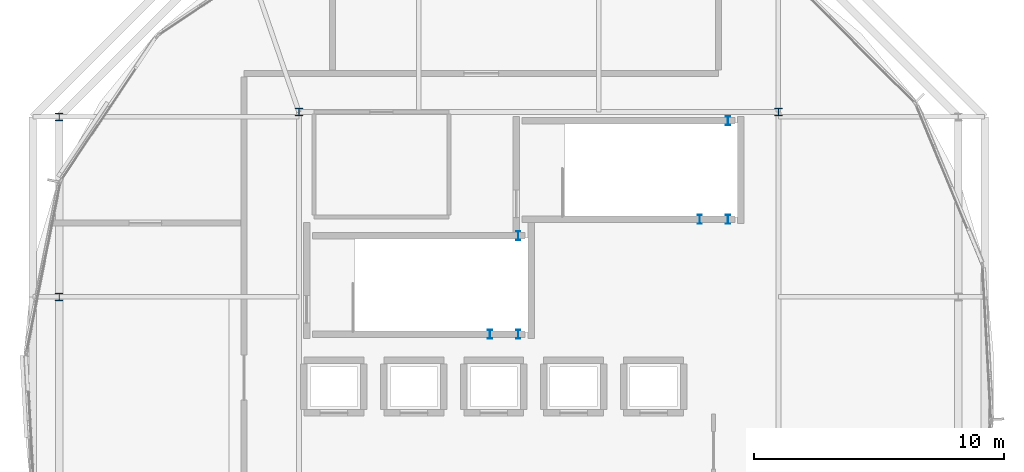
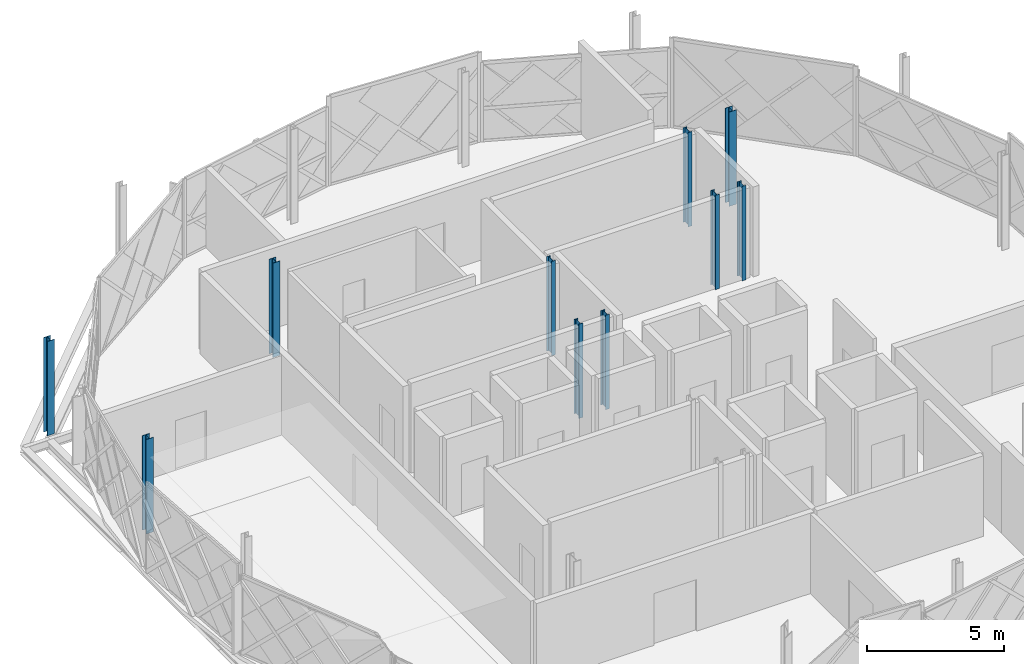
# One storey, part 3 of 15: 10 columns.
"""IFC4 building model written with IfcOpenShell, lengths in metres."""

from ifc_helpers import new_model, si_unit, direction, frame, origin, origin_2d, place, context, subcontext, project, spatial, i_section, extrude, material, material_profile, profile_set, type_object, element, save


model = new_model("IFC4")

# Units and contexts
model_context = context("Model", 3, precision=1e-05, world=origin(), true_north=direction((0.0, 1.0)))
body_context = subcontext(model_context, "Body", "Model", "MODEL_VIEW")
ifc_project = project(units=[si_unit("LENGTHUNIT", "METRE"), si_unit("AREAUNIT", "SQUARE_METRE"), si_unit("VOLUMEUNIT", "CUBIC_METRE"), si_unit("PLANEANGLEUNIT", "RADIAN"), si_unit("MASSUNIT", "GRAM", prefix="KILO")], contexts=[model_context])

# Site, building, storey
site_placement = place(None, origin())
site = spatial("IfcSite", under=ifc_project, at=site_placement, CompositionType="ELEMENT")
building_placement = place(site_placement, origin())
building = spatial("IfcBuilding", under=site, at=building_placement, Name="Zevrakil Square Congress Hotel", CompositionType="ELEMENT")
storey_placement = place(building_placement, frame((0.0, 0.0, 41.89990234375)))
storey = spatial("IfcBuildingStorey", under=building, at=storey_placement, Name="L12", CompositionType="ELEMENT", Elevation=41.89990234375)

# Columns
ifc_material_1 = material(Name="Steel S355", Category="steel")
ifc_material_profile_1 = material_profile(ifc_material_1, i_section(OverallWidth=0.300048828125, OverallDepth=0.300048828125, WebThickness=0.010986328125, FlangeThickness=0.01904296875, FilletRadius=0.027099609375, at=origin_2d()), Name="HEB 300")
ifc_profile_set_1 = profile_set([ifc_material_profile_1], Name="Steel S355")
column_type_1 = type_object("IfcColumnType", Name="COL-HEB300", PredefinedType="COLUMN", material=ifc_profile_set_1)
for number, where, z_axis, x_axis, name in (
    (1, (136.800048828125, 38.60009765625, 0.0), (0.0, 0.0, 1.0), (1.0, 0.0, 0.0), "L12 drum core collar column CC01"),
    (2, (156.0, 38.60009765625, 0.0), (0.0, 0.0, 1.0), (1.0, 0.0, 0.0), "L12 drum core collar column CC02"),
    (3, (127.199951171875, 38.39990234375, 0.0), (0.0, 0.0, 1.0), (1.0, 0.0, 0.0), "L12 drum column DC13"),
    (4, (127.199951171875, 31.199951171875, 0.0), (0.0, 0.0, 1.0), (1.0, 0.0, 0.0), "L12 drum column DC14"),
):
    element("IfcColumn", number, at=place(storey_placement, frame(where, z_axis=z_axis, x_axis=x_axis)), inside=storey, type_object=column_type_1, Name=name, PredefinedType="COLUMN", context=body_context, shape_type="SweptSolid", body=[
        extrude(i_section(OverallWidth=0.300048828125, OverallDepth=0.300048828125, WebThickness=0.010986328125, FlangeThickness=0.01904296875, FilletRadius=0.027099609375, at=origin_2d()), origin(), (0.0, 0.0, 1.0), 4.2001953125),
    ])
ifc_material_2 = material(Name="Steel S355", Category="steel")
ifc_material_profile_2 = material_profile(ifc_material_2, i_section(OverallWidth=0.169921875, OverallDepth=0.360107421875, WebThickness=0.008056640625, FlangeThickness=0.0126953125, FilletRadius=0.01806640625, at=origin_2d()), Name="IPE 360")
ifc_profile_set_2 = profile_set([ifc_material_profile_2], Name="Steel S355")
column_type_2 = type_object("IfcColumnType", Name="COL-PILASTER-SHS180", PredefinedType="PILASTER", material=ifc_profile_set_2)
for number, where, z_axis, x_axis, name in (
    (5, (144.449951171875, 29.699951171875, 0.0), (0.0, 0.0, 1.0), (1.0, 0.0, 0.0), "L12 ST02 stair shaft post 1"),
    (6, (145.580078125, 29.699951171875, 0.0), (0.0, 0.0, 1.0), (1.0, 0.0, 0.0), "L12 ST02 stair shaft post 2"),
    (7, (145.580078125, 33.64990234375, 0.0), (0.0, 0.0, 1.0), (1.0, 0.0, 0.0), "L12 ST02 stair shaft post 3"),
    (8, (152.85009765625, 34.300048828125, 0.0), (0.0, 0.0, 1.0), (1.0, 0.0, 0.0), "L12 ST03 stair shaft post 1"),
    (9, (153.97998046875, 34.300048828125, 0.0), (0.0, 0.0, 1.0), (1.0, 0.0, 0.0), "L12 ST03 stair shaft post 2"),
    (10, (153.97998046875, 38.25, 0.0), (0.0, 0.0, 1.0), (1.0, 0.0, 0.0), "L12 ST03 stair shaft post 3"),
):
    element("IfcColumn", number, at=place(storey_placement, frame(where, z_axis=z_axis, x_axis=x_axis)), inside=storey, type_object=column_type_2, Name=name, PredefinedType="PILASTER", context=body_context, shape_type="SweptSolid", body=[
        extrude(i_section(OverallWidth=0.169921875, OverallDepth=0.360107421875, WebThickness=0.008056640625, FlangeThickness=0.0126953125, FilletRadius=0.01806640625, at=origin_2d()), origin(), (0.0, 0.0, 1.0), 4.2001953125),
    ])

save(model, "model.ifc")
